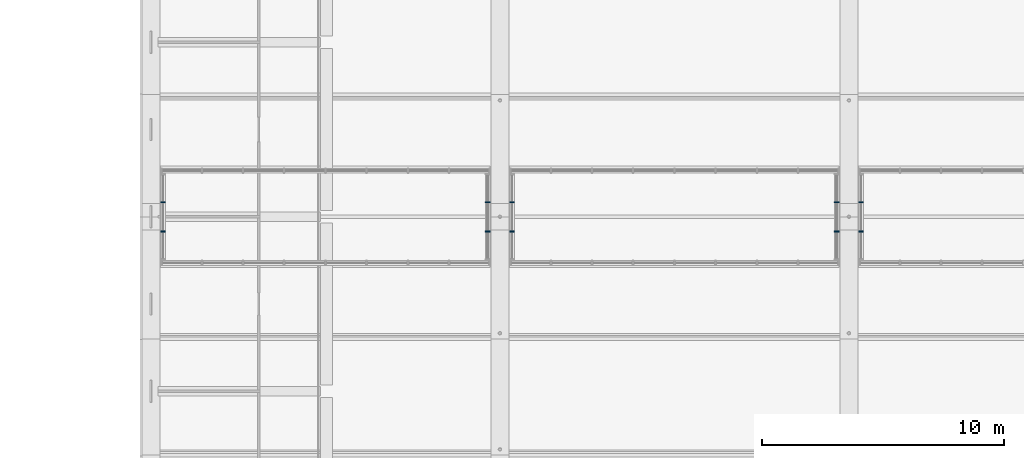
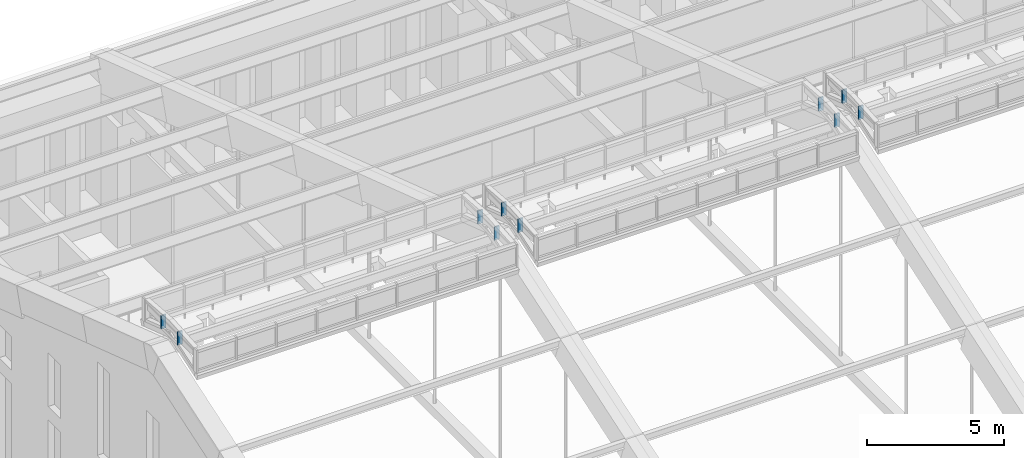
# One storey, part 107 of 149: 10 members, 5 elements without a shape of their own.
"""IFC4 building model written with IfcOpenShell, lengths in metres."""

from ifc_helpers import new_model, si_unit, direction, frame, origin, origin_2d, place, context, subcontext, project, spatial, rectangle, extrude, material, material_profile, profile_set, type_object, element, aggregate, save


model = new_model("IFC4")

# Units and contexts
model_context = context("Model", 3, precision=1e-05, world=origin(), true_north=direction((0.0, 1.0)))
body_context = subcontext(model_context, "Body", "Model", "MODEL_VIEW")
ifc_project = project(units=[si_unit("LENGTHUNIT", "METRE"), si_unit("AREAUNIT", "SQUARE_METRE"), si_unit("VOLUMEUNIT", "CUBIC_METRE"), si_unit("PLANEANGLEUNIT", "RADIAN"), si_unit("MASSUNIT", "GRAM", prefix="KILO")], contexts=[model_context])

# Site, building, storey
site_placement = place(None, origin())
site = spatial("IfcSite", under=ifc_project, at=site_placement, CompositionType="ELEMENT")
building_placement = place(site_placement, origin())
building = spatial("IfcBuilding", under=site, at=building_placement, Name="Alderwick Market Hall", CompositionType="ELEMENT")
storey_placement = place(building_placement, frame((0.0, 0.0, 9.60009765625)))
storey = spatial("IfcBuildingStorey", under=building, at=storey_placement, Name="L01", CompositionType="ELEMENT", Elevation=9.60009765625)

# Curtain wall, members
ifc_material = material(Name="Aluminium", Category="aluminium")
curtain_wall_type = type_object("IfcCurtainWallType", Name="R Curtain Wall Frame", PredefinedType="NOTDEFINED", material=ifc_material)
curtain_wall_1_placement = place(storey_placement, origin())
curtain_wall_1 = element("IfcCurtainWall", 1, at=curtain_wall_1_placement, inside=storey, type_object=curtain_wall_type, Name="Curtain wall LCW W1", PredefinedType="NOTDEFINED")
ifc_material_profile = material_profile(ifc_material, rectangle(XDim=0.199951171875, YDim=0.06005859375, at=origin_2d()), Name="AL 60x200")
ifc_profile_set = profile_set([ifc_material_profile], Name="Aluminium")
member_type = type_object("IfcMemberType", Name="R CW Mullion 60x200", PredefinedType="MULLION", material=ifc_profile_set)
member_1_placement = place(storey_placement, frame((50.89990234375, 78.60009765625, 17.103515625), z_axis=(0.0, 0.0, 1.0), x_axis=(1.0, 0.0, 0.0)))
member_1 = element("IfcMember", 2, at=member_1_placement, type_object=member_type, Name="LCW W1 mullion 2", PredefinedType="MULLION", context=body_context, shape_type="SweptSolid", body=[
    extrude(rectangle(XDim=0.199951171875, YDim=0.06005859375, at=origin_2d()), origin(), (0.0, 0.0, 1.0), 0.596435546875),
])
member_2_placement = place(storey_placement, frame((50.89990234375, 79.800048828125, 17.103515625), z_axis=(0.0, 0.0, 1.0), x_axis=(1.0, 0.0, 0.0)))
member_2 = element("IfcMember", 3, at=member_2_placement, type_object=member_type, Name="LCW W1 mullion 3", PredefinedType="MULLION", context=body_context, shape_type="SweptSolid", body=[
    extrude(rectangle(XDim=0.199951171875, YDim=0.06005859375, at=origin_2d()), origin(), (0.0, 0.0, 1.0), 0.596435546875),
])
aggregate(curtain_wall_1, [member_1, member_2])

curtain_wall_2_placement = place(storey_placement, origin())
curtain_wall_2 = element("IfcCurtainWall", 4, at=curtain_wall_2_placement, inside=storey, type_object=curtain_wall_type, Name="Curtain wall LCW E1", PredefinedType="NOTDEFINED")
member_3_placement = place(storey_placement, frame((64.300048828125, 78.60009765625, 17.103515625), z_axis=(0.0, 0.0, 1.0), x_axis=(1.0, 0.0, 0.0)))
member_3 = element("IfcMember", 5, at=member_3_placement, type_object=member_type, Name="LCW E1 mullion 2", PredefinedType="MULLION", context=body_context, shape_type="SweptSolid", body=[
    extrude(rectangle(XDim=0.199951171875, YDim=0.06005859375, at=origin_2d()), origin(), (0.0, 0.0, 1.0), 0.596435546875),
])
member_4_placement = place(storey_placement, frame((64.300048828125, 79.800048828125, 17.103515625), z_axis=(0.0, 0.0, 1.0), x_axis=(1.0, 0.0, 0.0)))
member_4 = element("IfcMember", 6, at=member_4_placement, type_object=member_type, Name="LCW E1 mullion 3", PredefinedType="MULLION", context=body_context, shape_type="SweptSolid", body=[
    extrude(rectangle(XDim=0.199951171875, YDim=0.06005859375, at=origin_2d()), origin(), (0.0, 0.0, 1.0), 0.596435546875),
])
aggregate(curtain_wall_2, [member_3, member_4])

curtain_wall_3_placement = place(storey_placement, origin())
curtain_wall_3 = element("IfcCurtainWall", 7, at=curtain_wall_3_placement, inside=storey, type_object=curtain_wall_type, Name="Curtain wall LCW W2", PredefinedType="NOTDEFINED")
member_5_placement = place(storey_placement, frame((65.300048828125, 78.60009765625, 17.103515625), z_axis=(0.0, 0.0, 1.0), x_axis=(1.0, 0.0, 0.0)))
member_5 = element("IfcMember", 8, at=member_5_placement, type_object=member_type, Name="LCW W2 mullion 2", PredefinedType="MULLION", context=body_context, shape_type="SweptSolid", body=[
    extrude(rectangle(XDim=0.199951171875, YDim=0.06005859375, at=origin_2d()), origin(), (0.0, 0.0, 1.0), 0.596435546875),
])
member_6_placement = place(storey_placement, frame((65.300048828125, 79.800048828125, 17.103515625), z_axis=(0.0, 0.0, 1.0), x_axis=(1.0, 0.0, 0.0)))
member_6 = element("IfcMember", 9, at=member_6_placement, type_object=member_type, Name="LCW W2 mullion 3", PredefinedType="MULLION", context=body_context, shape_type="SweptSolid", body=[
    extrude(rectangle(XDim=0.199951171875, YDim=0.06005859375, at=origin_2d()), origin(), (0.0, 0.0, 1.0), 0.596435546875),
])
aggregate(curtain_wall_3, [member_5, member_6])

curtain_wall_4_placement = place(storey_placement, origin())
curtain_wall_4 = element("IfcCurtainWall", 10, at=curtain_wall_4_placement, inside=storey, type_object=curtain_wall_type, Name="Curtain wall LCW E2", PredefinedType="NOTDEFINED")
member_7_placement = place(storey_placement, frame((78.699951171875, 78.60009765625, 17.103515625), z_axis=(0.0, 0.0, 1.0), x_axis=(1.0, 0.0, 0.0)))
member_7 = element("IfcMember", 11, at=member_7_placement, type_object=member_type, Name="LCW E2 mullion 2", PredefinedType="MULLION", context=body_context, shape_type="SweptSolid", body=[
    extrude(rectangle(XDim=0.199951171875, YDim=0.06005859375, at=origin_2d()), origin(), (0.0, 0.0, 1.0), 0.596435546875),
])
member_8_placement = place(storey_placement, frame((78.699951171875, 79.800048828125, 17.103515625), z_axis=(0.0, 0.0, 1.0), x_axis=(1.0, 0.0, 0.0)))
member_8 = element("IfcMember", 12, at=member_8_placement, type_object=member_type, Name="LCW E2 mullion 3", PredefinedType="MULLION", context=body_context, shape_type="SweptSolid", body=[
    extrude(rectangle(XDim=0.199951171875, YDim=0.06005859375, at=origin_2d()), origin(), (0.0, 0.0, 1.0), 0.596435546875),
])
aggregate(curtain_wall_4, [member_7, member_8])

curtain_wall_5_placement = place(storey_placement, origin())
curtain_wall_5 = element("IfcCurtainWall", 13, at=curtain_wall_5_placement, inside=storey, type_object=curtain_wall_type, Name="Curtain wall LCW W3", PredefinedType="NOTDEFINED")
member_9_placement = place(storey_placement, frame((79.699951171875, 78.60009765625, 17.103515625), z_axis=(0.0, 0.0, 1.0), x_axis=(1.0, 0.0, 0.0)))
member_9 = element("IfcMember", 14, at=member_9_placement, type_object=member_type, Name="LCW W3 mullion 2", PredefinedType="MULLION", context=body_context, shape_type="SweptSolid", body=[
    extrude(rectangle(XDim=0.199951171875, YDim=0.06005859375, at=origin_2d()), origin(), (0.0, 0.0, 1.0), 0.596435546875),
])
member_10_placement = place(storey_placement, frame((79.699951171875, 79.800048828125, 17.103515625), z_axis=(0.0, 0.0, 1.0), x_axis=(1.0, 0.0, 0.0)))
member_10 = element("IfcMember", 15, at=member_10_placement, type_object=member_type, Name="LCW W3 mullion 3", PredefinedType="MULLION", context=body_context, shape_type="SweptSolid", body=[
    extrude(rectangle(XDim=0.199951171875, YDim=0.06005859375, at=origin_2d()), origin(), (0.0, 0.0, 1.0), 0.596435546875),
])
aggregate(curtain_wall_5, [member_9, member_10])

save(model, "model.ifc")
